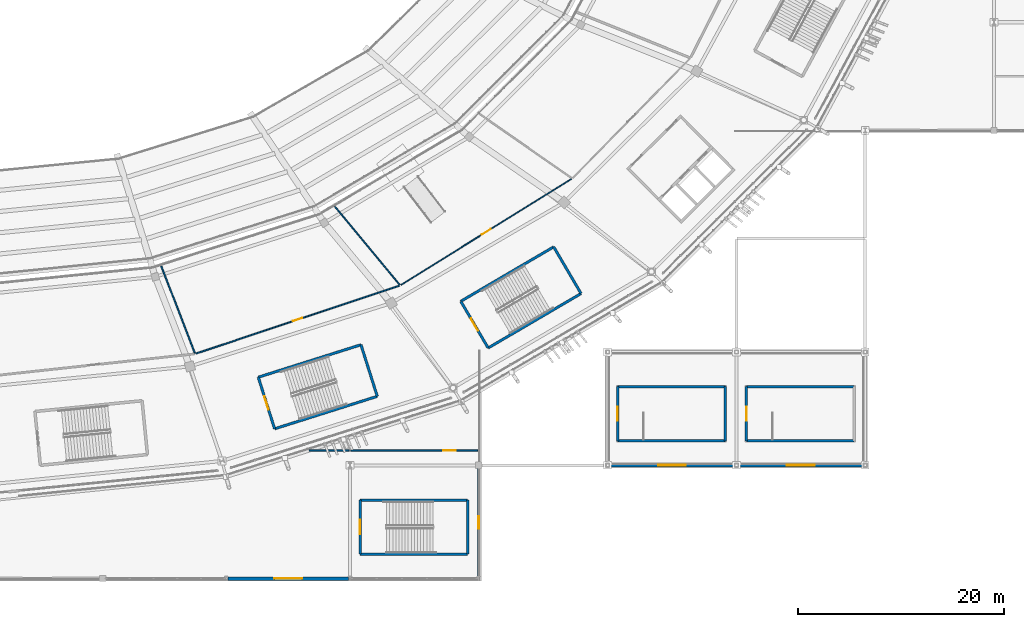
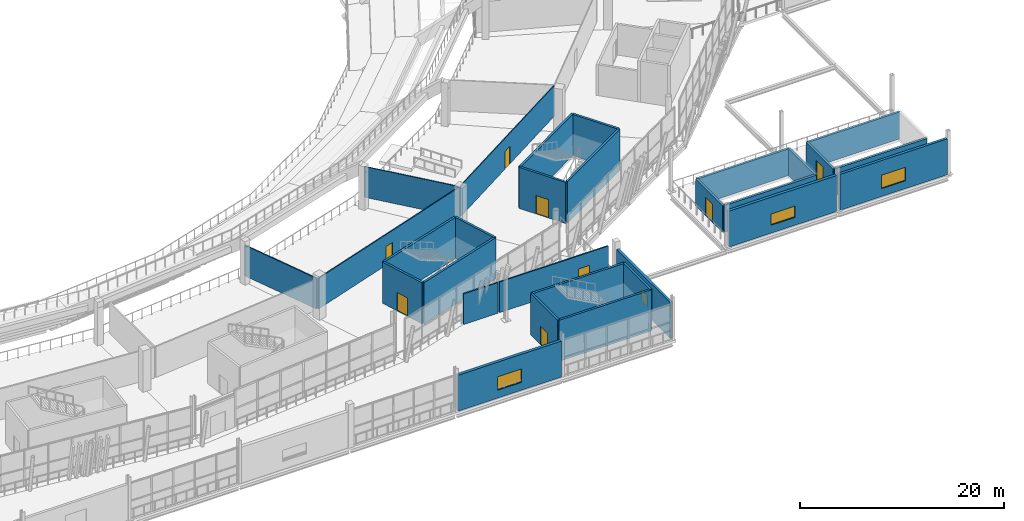
# One storey, part 126 of 178: 29 walls, 8 doors, 4 windows, 12 openings.
"""IFC4 building model written with IfcOpenShell, lengths in metres."""

from ifc_helpers import new_model, si_unit, direction, frame, frame_2d, origin, place, context, subcontext, project, spatial, rectangle, extrude, material, layer, layer_set, type_object, element, fill, save


model = new_model("IFC4")

# Units and contexts
model_context = context("Model", 3, precision=1e-05, world=origin(), true_north=direction((0.0, 1.0)))
body_context = subcontext(model_context, "Body", "Model", "MODEL_VIEW")
ifc_project = project(units=[si_unit("LENGTHUNIT", "METRE"), si_unit("AREAUNIT", "SQUARE_METRE"), si_unit("VOLUMEUNIT", "CUBIC_METRE"), si_unit("PLANEANGLEUNIT", "RADIAN"), si_unit("MASSUNIT", "GRAM", prefix="KILO")], contexts=[model_context])

# Site, building, storey
site_placement = place(None, origin())
site = spatial("IfcSite", under=ifc_project, at=site_placement, CompositionType="ELEMENT")
building_placement = place(site_placement, origin())
building = spatial("IfcBuilding", under=site, at=building_placement, Name="Zlatoyarsky Gate Stadium", CompositionType="ELEMENT")
storey_placement = place(building_placement, frame((0.0, 0.0, 5.39990234375)))
storey = spatial("IfcBuildingStorey", under=building, at=storey_placement, Name="L01", CompositionType="ELEMENT", Elevation=5.39990234375)

# Wall, opening, door
ifc_material_1 = material(Name="Metal-stud gypsum partition", Category="gypsum")
ifc_layer_1 = layer(ifc_material_1, 0.14990234375)
ifc_layer_set_1 = layer_set([ifc_layer_1], Name="Metal-stud gypsum partition")
wall_type_1 = type_object("IfcWallType", Name="CONCOURSE CORRIDOR PARTITION 150", PredefinedType="PARTITIONING", material=ifc_layer_set_1)
wall_1_placement = place(storey_placement, frame((147.5849609375, 12.449951171875, 0.0), z_axis=(0.0, 0.0, 1.0), x_axis=(1.0, 0.0, 0.0)))
wall_1 = element("IfcWall", 1, at=wall_1_placement, inside=storey, type_object=wall_type_1, Name="L01 interior partition PRT-L01-V3SC-NE2B", PredefinedType="PARTITIONING", context=body_context, shape_type="SweptSolid", body=[
    extrude(rectangle(XDim=12.31005859375, YDim=0.14990234375, at=frame_2d((6.155029296875, 0.0))), origin(), (0.0, 0.0, 1.0), 3.670166015625),
])
opening_1_placement = place(wall_1_placement, frame((8.9599609375, 0.0, 0.0)))
opening_1 = element("IfcOpeningElement", 2, at=opening_1_placement, cuts=wall_1, Name="Opening D-L01-282", PredefinedType="OPENING", context=body_context, shape_type="SweptSolid", body=[
    extrude(rectangle(XDim=1.239990234375, YDim=2.10009765625, at=frame_2d((0.6201171875, 1.050048828125))), frame((0.0, 0.0849609375, 0.0), z_axis=(0.0, -1.0, 0.0), x_axis=(1.0, 0.0, 0.0)), (0.0, 0.0, 1.0), 0.169921875),
])
ifc_material_2 = material(Name="Powder-coated steel fire door", Category="steel")
door_type_1 = type_object("IfcDoorType", Name="ACOUSTIC INTERIOR DOOR 1240X2100", OperationType="NOTDEFINED", PredefinedType="DOOR", material=ifc_material_2)
door_1_placement = place(opening_1_placement, origin())
door_1 = element("IfcDoor", 3, at=door_1_placement, inside=storey, type_object=door_type_1, Name="L01 room door D-L01-282", OperationType="SINGLE_SWING_RIGHT", OverallHeight=2.10009765625, OverallWidth=1.239990234375, PredefinedType="DOOR", context=body_context, shape_type="SweptSolid", body=[
    extrude(rectangle(XDim=1.239990234375, YDim=2.10009765625, at=frame_2d((0.6201171875, 1.050048828125))), frame((0.0, 0.02490234375, 0.0), z_axis=(0.0, -1.0, 0.0), x_axis=(1.0, 0.0, 0.0)), (0.0, 0.0, 1.0), 0.050048828125),
])
fill(opening_1, door_1)

ifc_material_3 = material(Name="Concrete C40/50", Category="concrete")
ifc_layer_2 = layer(ifc_material_3, 0.25)
ifc_layer_set_2 = layer_set([ifc_layer_2], Name="Concrete C40/50")
wall_type_2 = type_object("IfcWallType", Name="CONCRETE STAIR CORE SHEAR WALL 250", PredefinedType="SHEAR", material=ifc_layer_set_2)
wall_2_placement = place(storey_placement, frame((158.25341796875, 26.916015625, 0.0), z_axis=(0.0, 0.0, 1.0), x_axis=(0.505460490551, -0.862849750821, 0.0)))
wall_2 = element("IfcWall", 4, at=wall_2_placement, inside=storey, type_object=wall_type_2, Name="ST-11 L01 stair core entrance shear wall", PredefinedType="SHEAR", context=body_context, shape_type="SweptSolid", body=[
    extrude(rectangle(XDim=5.249755859375, YDim=0.25, at=frame_2d((2.625, 0.0))), origin(), (0.0, 0.0, 1.0), 4.920166015625),
])
opening_2_placement = place(wall_2_placement, frame((1.925048828125, 0.0, 0.0)))
opening_2 = element("IfcOpeningElement", 5, at=opening_2_placement, cuts=wall_2, Name="Opening SD-ST-11-L01", PredefinedType="OPENING", context=body_context, shape_type="SweptSolid", body=[
    extrude(rectangle(XDim=1.39990234375, YDim=2.199951171875, at=frame_2d((0.699951171875, 1.10009765625))), frame((0.0, 0.135009765625, 0.0), z_axis=(0.0, -1.0, 0.0), x_axis=(1.0, 0.0, 0.0)), (0.0, 0.0, 1.0), 0.27001953125),
])
door_type_2 = type_object("IfcDoorType", Name="STAIR CORE FIRE EXIT DOOR 1400X2200", OperationType="NOTDEFINED", PredefinedType="DOOR", material=ifc_material_2)
door_2_placement = place(opening_2_placement, frame((1.39990234375, 0.0, 0.0), z_axis=(0.0, 0.0, 1.0), x_axis=(-1.0, 0.0, 0.0)))
door_2 = element("IfcDoor", 6, at=door_2_placement, inside=storey, type_object=door_type_2, Name="ST-11 L01 stair fire door", OperationType="SINGLE_SWING_LEFT", OverallHeight=2.199951171875, OverallWidth=1.39990234375, PredefinedType="DOOR", context=body_context, shape_type="SweptSolid", body=[
    extrude(rectangle(XDim=1.39990234375, YDim=2.199951171875, at=frame_2d((0.699951171875, 1.10009765625))), frame((0.0, 0.02490234375, 0.0), z_axis=(0.0, -1.0, 0.0), x_axis=(1.0, 0.0, 0.0)), (0.0, 0.0, 1.0), 0.050048828125),
])
fill(opening_2, door_2)

# Walls
wall_3_placement = place(storey_placement, frame((160.906982421875, 22.38623046875, 0.0), z_axis=(0.0, 0.0, 1.0), x_axis=(0.862854686184, 0.505452065513, 0.0)))
element("IfcWall", 7, at=wall_3_placement, inside=storey, type_object=wall_type_2, Name="ST-11 L01 stair core left shear wall", PredefinedType="SHEAR", context=body_context, shape_type="SweptSolid", body=[
    extrude(rectangle(XDim=10.449951171875, YDim=0.25, at=frame_2d((5.22509765625, 0.0))), origin(), (0.0, 0.0, 1.0), 4.920166015625),
])
wall_4_placement = place(storey_placement, frame((169.923828125, 27.668212890625, 0.0), z_axis=(0.0, 0.0, 1.0), x_axis=(-0.505474830399, 0.862841350327, 0.0)))
element("IfcWall", 8, at=wall_4_placement, inside=storey, type_object=wall_type_2, Name="ST-11 L01 stair core far shear wall", PredefinedType="SHEAR", context=body_context, shape_type="SweptSolid", body=[
    extrude(rectangle(XDim=5.250244140625, YDim=0.25, at=frame_2d((2.625, 0.0))), origin(), (0.0, 0.0, 1.0), 4.920166015625),
])
wall_5_placement = place(storey_placement, frame((167.27001953125, 32.1982421875, 0.0), z_axis=(0.0, 0.0, 1.0), x_axis=(-0.862838527648, -0.505479648657, 0.0)))
element("IfcWall", 9, at=wall_5_placement, inside=storey, type_object=wall_type_2, Name="ST-11 L01 stair core right shear wall", PredefinedType="SHEAR", context=body_context, shape_type="SweptSolid", body=[
    extrude(rectangle(XDim=10.449951171875, YDim=0.25, at=frame_2d((5.22509765625, 0.0))), origin(), (0.0, 0.0, 1.0), 4.920166015625),
])

# Wall, opening, door
wall_6_placement = place(storey_placement, frame((138.599609375, 19.5478515625, 0.0), z_axis=(0.0, 0.0, 1.0), x_axis=(0.30152749866, -0.953457480726, 0.0)))
wall_6 = element("IfcWall", 10, at=wall_6_placement, inside=storey, type_object=wall_type_2, Name="ST-16 L01 stair core entrance shear wall", PredefinedType="SHEAR", context=body_context, shape_type="SweptSolid", body=[
    extrude(rectangle(XDim=5.25, YDim=0.25, at=frame_2d((2.625, 0.0))), origin(), (0.0, 0.0, 1.0), 4.920166015625),
])
opening_3_placement = place(wall_6_placement, frame((1.925048828125, 0.0, 0.0)))
opening_3 = element("IfcOpeningElement", 11, at=opening_3_placement, cuts=wall_6, Name="Opening SD-ST-16-L01", PredefinedType="OPENING", context=body_context, shape_type="SweptSolid", body=[
    extrude(rectangle(XDim=1.39990234375, YDim=2.199951171875, at=frame_2d((0.699951171875, 1.10009765625))), frame((0.0, 0.135009765625, 0.0), z_axis=(0.0, -1.0, 0.0), x_axis=(1.0, 0.0, 0.0)), (0.0, 0.0, 1.0), 0.27001953125),
])
door_3_placement = place(opening_3_placement, frame((1.39990234375, 0.0, 0.0), z_axis=(0.0, 0.0, 1.0), x_axis=(-1.0, 0.0, 0.0)))
door_3 = element("IfcDoor", 12, at=door_3_placement, inside=storey, type_object=door_type_2, Name="ST-16 L01 stair fire door", OperationType="SINGLE_SWING_LEFT", OverallHeight=2.199951171875, OverallWidth=1.39990234375, PredefinedType="DOOR", context=body_context, shape_type="SweptSolid", body=[
    extrude(rectangle(XDim=1.39990234375, YDim=2.199951171875, at=frame_2d((0.699951171875, 1.10009765625))), frame((0.0, 0.02490234375, 0.0), z_axis=(0.0, -1.0, 0.0), x_axis=(1.0, 0.0, 0.0)), (0.0, 0.0, 1.0), 0.050048828125),
])
fill(opening_3, door_3)

# Walls
wall_7_placement = place(storey_placement, frame((140.1826171875, 14.542236328125, 0.0), z_axis=(0.0, 0.0, 1.0), x_axis=(0.953459710305, 0.301520448438, 0.0)))
element("IfcWall", 13, at=wall_7_placement, inside=storey, type_object=wall_type_2, Name="ST-16 L01 stair core left shear wall", PredefinedType="SHEAR", context=body_context, shape_type="SweptSolid", body=[
    extrude(rectangle(XDim=10.449951171875, YDim=0.25, at=frame_2d((5.22509765625, 0.0))), origin(), (0.0, 0.0, 1.0), 4.920166015625),
])
wall_8_placement = place(storey_placement, frame((150.146240234375, 17.693115234375, 0.0), z_axis=(0.0, 0.0, 1.0), x_axis=(-0.30152749866, 0.953457480726, 0.0)))
element("IfcWall", 14, at=wall_8_placement, inside=storey, type_object=wall_type_2, Name="ST-16 L01 stair core far shear wall", PredefinedType="SHEAR", context=body_context, shape_type="SweptSolid", body=[
    extrude(rectangle(XDim=5.25, YDim=0.25, at=frame_2d((2.625, 0.0))), origin(), (0.0, 0.0, 1.0), 4.920166015625),
])
wall_9_placement = place(storey_placement, frame((148.563232421875, 22.69873046875, 0.0), z_axis=(0.0, 0.0, 1.0), x_axis=(-0.953459710305, -0.301520448438, 0.0)))
element("IfcWall", 15, at=wall_9_placement, inside=storey, type_object=wall_type_2, Name="ST-16 L01 stair core right shear wall", PredefinedType="SHEAR", context=body_context, shape_type="SweptSolid", body=[
    extrude(rectangle(XDim=10.449951171875, YDim=0.25, at=frame_2d((5.22509765625, 0.0))), origin(), (0.0, 0.0, 1.0), 4.920166015625),
])

# Wall, opening, door
wall_10_placement = place(storey_placement, frame((173.47509765625, 18.625, 0.0), z_axis=(0.0, 0.0, 1.0), x_axis=(0.0, -1.0, 0.0)))
wall_10 = element("IfcWall", 16, at=wall_10_placement, inside=storey, type_object=wall_type_2, Name="ST-23 L01 stair core entrance shear wall", PredefinedType="SHEAR", context=body_context, shape_type="SweptSolid", body=[
    extrude(rectangle(XDim=5.25, YDim=0.25, at=frame_2d((2.625, 0.0))), origin(), (0.0, 0.0, 1.0), 3.2001953125),
])
opening_4_placement = place(wall_10_placement, frame((1.925048828125, 0.0, 0.0)))
opening_4 = element("IfcOpeningElement", 17, at=opening_4_placement, cuts=wall_10, Name="Opening SD-ST-23-L01", PredefinedType="OPENING", context=body_context, shape_type="SweptSolid", body=[
    extrude(rectangle(XDim=1.39990234375, YDim=2.199951171875, at=frame_2d((0.699951171875, 1.10009765625))), frame((0.0, 0.135009765625, 0.0), z_axis=(0.0, -1.0, 0.0), x_axis=(1.0, 0.0, 0.0)), (0.0, 0.0, 1.0), 0.27001953125),
])
door_4_placement = place(opening_4_placement, frame((1.39990234375, 0.0, 0.0), z_axis=(0.0, 0.0, 1.0), x_axis=(-1.0, 0.0, 0.0)))
door_4 = element("IfcDoor", 18, at=door_4_placement, inside=storey, type_object=door_type_2, Name="ST-23 L01 stair fire door", OperationType="SINGLE_SWING_LEFT", OverallHeight=2.199951171875, OverallWidth=1.39990234375, PredefinedType="DOOR", context=body_context, shape_type="SweptSolid", body=[
    extrude(rectangle(XDim=1.39990234375, YDim=2.199951171875, at=frame_2d((0.699951171875, 1.10009765625))), frame((0.0, 0.02490234375, 0.0), z_axis=(0.0, -1.0, 0.0), x_axis=(1.0, 0.0, 0.0)), (0.0, 0.0, 1.0), 0.050048828125),
])
fill(opening_4, door_4)

# Walls
wall_11_placement = place(storey_placement, frame((173.47509765625, 13.375, 0.0), z_axis=(0.0, 0.0, 1.0), x_axis=(1.0, 0.0, 0.0)))
element("IfcWall", 19, at=wall_11_placement, inside=storey, type_object=wall_type_2, Name="ST-23 L01 stair core left shear wall", PredefinedType="SHEAR", context=body_context, shape_type="SweptSolid", body=[
    extrude(rectangle(XDim=10.449951171875, YDim=0.25, at=frame_2d((5.22509765625, 0.0))), origin(), (0.0, 0.0, 1.0), 3.2001953125),
])
wall_12_placement = place(storey_placement, frame((183.925048828125, 13.375, 0.0), z_axis=(0.0, 0.0, 1.0), x_axis=(0.0, 1.0, 0.0)))
element("IfcWall", 20, at=wall_12_placement, inside=storey, type_object=wall_type_2, Name="ST-23 L01 stair core far shear wall", PredefinedType="SHEAR", context=body_context, shape_type="SweptSolid", body=[
    extrude(rectangle(XDim=5.25, YDim=0.25, at=frame_2d((2.625, 0.0))), origin(), (0.0, 0.0, 1.0), 3.2001953125),
])
wall_13_placement = place(storey_placement, frame((183.925048828125, 18.625, 0.0), z_axis=(0.0, 0.0, 1.0), x_axis=(-1.0, 0.0, 0.0)))
element("IfcWall", 21, at=wall_13_placement, inside=storey, type_object=wall_type_2, Name="ST-23 L01 stair core right shear wall", PredefinedType="SHEAR", context=body_context, shape_type="SweptSolid", body=[
    extrude(rectangle(XDim=10.449951171875, YDim=0.25, at=frame_2d((5.22509765625, 0.0))), origin(), (0.0, 0.0, 1.0), 3.2001953125),
])

# Wall, opening, door
wall_14_placement = place(storey_placement, frame((185.97509765625, 18.625, 0.0), z_axis=(0.0, 0.0, 1.0), x_axis=(0.0, -1.0, 0.0)))
wall_14 = element("IfcWall", 22, at=wall_14_placement, inside=storey, type_object=wall_type_2, Name="ST-24 L01 stair core entrance shear wall", PredefinedType="SHEAR", context=body_context, shape_type="SweptSolid", body=[
    extrude(rectangle(XDim=5.25, YDim=0.25, at=frame_2d((2.625, 0.0))), origin(), (0.0, 0.0, 1.0), 3.2001953125),
])
opening_5_placement = place(wall_14_placement, frame((1.925048828125, 0.0, 0.0)))
opening_5 = element("IfcOpeningElement", 23, at=opening_5_placement, cuts=wall_14, Name="Opening SD-ST-24-L01", PredefinedType="OPENING", context=body_context, shape_type="SweptSolid", body=[
    extrude(rectangle(XDim=1.39990234375, YDim=2.199951171875, at=frame_2d((0.699951171875, 1.10009765625))), frame((0.0, 0.135009765625, 0.0), z_axis=(0.0, -1.0, 0.0), x_axis=(1.0, 0.0, 0.0)), (0.0, 0.0, 1.0), 0.27001953125),
])
door_5_placement = place(opening_5_placement, frame((1.39990234375, 0.0, 0.0), z_axis=(0.0, 0.0, 1.0), x_axis=(-1.0, 0.0, 0.0)))
door_5 = element("IfcDoor", 24, at=door_5_placement, inside=storey, type_object=door_type_2, Name="ST-24 L01 stair fire door", OperationType="SINGLE_SWING_RIGHT", OverallHeight=2.199951171875, OverallWidth=1.39990234375, PredefinedType="DOOR", context=body_context, shape_type="SweptSolid", body=[
    extrude(rectangle(XDim=1.39990234375, YDim=2.199951171875, at=frame_2d((0.699951171875, 1.10009765625))), frame((0.0, 0.02490234375, 0.0), z_axis=(0.0, -1.0, 0.0), x_axis=(1.0, 0.0, 0.0)), (0.0, 0.0, 1.0), 0.050048828125),
])
fill(opening_5, door_5)

# Walls
for number, where, z_axis, x_axis, name in (
    (25, (185.97509765625, 13.375, 0.0), (0.0, 0.0, 1.0), (1.0, 0.0, 0.0), "ST-24 L01 stair core left shear wall"),
    (26, (196.425048828125, 18.625, 0.0), (0.0, 0.0, 1.0), (-1.0, 0.0, 0.0), "ST-24 L01 stair core right shear wall"),
):
    element("IfcWall", number, at=place(storey_placement, frame(where, z_axis=z_axis, x_axis=x_axis)), inside=storey, type_object=wall_type_2, Name=name, PredefinedType="SHEAR", context=body_context, shape_type="SweptSolid", body=[
        extrude(rectangle(XDim=10.449951171875, YDim=0.25, at=frame_2d((5.22509765625, 0.0))), origin(), (0.0, 0.0, 1.0), 3.2001953125),
    ])

# Wall, opening, door
wall_15_placement = place(storey_placement, frame((148.47509765625, 7.625, 0.0), z_axis=(0.0, 0.0, 1.0), x_axis=(0.0, -1.0, 0.0)))
wall_15 = element("IfcWall", 27, at=wall_15_placement, inside=storey, type_object=wall_type_2, Name="ST-30 L01 stair core entrance shear wall", PredefinedType="SHEAR", context=body_context, shape_type="SweptSolid", body=[
    extrude(rectangle(XDim=5.25, YDim=0.25, at=frame_2d((2.625, 0.0))), origin(), (0.0, 0.0, 1.0), 4.920166015625),
])
opening_6_placement = place(wall_15_placement, frame((1.925048828125, 0.0, 0.0)))
opening_6 = element("IfcOpeningElement", 28, at=opening_6_placement, cuts=wall_15, Name="Opening SD-ST-30-L01", PredefinedType="OPENING", context=body_context, shape_type="SweptSolid", body=[
    extrude(rectangle(XDim=1.39990234375, YDim=2.199951171875, at=frame_2d((0.699951171875, 1.10009765625))), frame((0.0, 0.135009765625, 0.0), z_axis=(0.0, -1.0, 0.0), x_axis=(1.0, 0.0, 0.0)), (0.0, 0.0, 1.0), 0.27001953125),
])
door_6_placement = place(opening_6_placement, frame((1.39990234375, 0.0, 0.0), z_axis=(0.0, 0.0, 1.0), x_axis=(-1.0, 0.0, 0.0)))
door_6 = element("IfcDoor", 29, at=door_6_placement, inside=storey, type_object=door_type_2, Name="ST-30 L01 stair fire door", OperationType="SINGLE_SWING_LEFT", OverallHeight=2.199951171875, OverallWidth=1.39990234375, PredefinedType="DOOR", context=body_context, shape_type="SweptSolid", body=[
    extrude(rectangle(XDim=1.39990234375, YDim=2.199951171875, at=frame_2d((0.699951171875, 1.10009765625))), frame((0.0, 0.02490234375, 0.0), z_axis=(0.0, -1.0, 0.0), x_axis=(1.0, 0.0, 0.0)), (0.0, 0.0, 1.0), 0.050048828125),
])
fill(opening_6, door_6)

# Walls
wall_16_placement = place(storey_placement, frame((148.47509765625, 2.375, 0.0), z_axis=(0.0, 0.0, 1.0), x_axis=(1.0, 0.0, 0.0)))
element("IfcWall", 30, at=wall_16_placement, inside=storey, type_object=wall_type_2, Name="ST-30 L01 stair core left shear wall", PredefinedType="SHEAR", context=body_context, shape_type="SweptSolid", body=[
    extrude(rectangle(XDim=10.449951171875, YDim=0.25, at=frame_2d((5.22509765625, 0.0))), origin(), (0.0, 0.0, 1.0), 4.920166015625),
])
wall_17_placement = place(storey_placement, frame((158.925048828125, 2.375, 0.0), z_axis=(0.0, 0.0, 1.0), x_axis=(0.0, 1.0, 0.0)))
element("IfcWall", 31, at=wall_17_placement, inside=storey, type_object=wall_type_2, Name="ST-30 L01 stair core far shear wall", PredefinedType="SHEAR", context=body_context, shape_type="SweptSolid", body=[
    extrude(rectangle(XDim=5.25, YDim=0.25, at=frame_2d((2.625, 0.0))), origin(), (0.0, 0.0, 1.0), 4.920166015625),
])
wall_18_placement = place(storey_placement, frame((158.925048828125, 7.625, 0.0), z_axis=(0.0, 0.0, 1.0), x_axis=(-1.0, 0.0, 0.0)))
element("IfcWall", 32, at=wall_18_placement, inside=storey, type_object=wall_type_2, Name="ST-30 L01 stair core right shear wall", PredefinedType="SHEAR", context=body_context, shape_type="SweptSolid", body=[
    extrude(rectangle(XDim=10.449951171875, YDim=0.25, at=frame_2d((5.22509765625, 0.0))), origin(), (0.0, 0.0, 1.0), 4.920166015625),
])
ifc_material_4 = material(Name="Acoustic metal-stud gypsum partition", Category="gypsum")
ifc_layer_3 = layer(ifc_material_4, 0.159912109375)
ifc_layer_set_3 = layer_set([ifc_layer_3], Name="Acoustic metal-stud gypsum partition")
wall_type_3 = type_object("IfcWallType", Name="HOSPITALITY SUITE PARTITION 160", PredefinedType="PARTITIONING", material=ifc_layer_set_3)
wall_19_placement = place(storey_placement, frame((143.536376953125, 12.449951171875, 0.0), z_axis=(0.0, 0.0, 1.0), x_axis=(1.0, 0.0, 0.0)))
element("IfcWall", 33, at=wall_19_placement, inside=storey, type_object=wall_type_3, Name="L01 interior partition PRT-L01-V3SC-NE2A", PredefinedType="PARTITIONING", context=body_context, shape_type="SweptSolid", body=[
    extrude(rectangle(XDim=3.878662109375, YDim=0.159912109375, at=frame_2d((1.939453125, 0.0))), origin(), (0.0, 0.0, 1.0), 3.670166015625),
])

# Wall, opening, window
ifc_material_5 = material(Name="Limestone-faced insulated masonry wall", Category="masonry")
ifc_layer_4 = layer(ifc_material_5, 0.300048828125)
ifc_layer_set_4 = layer_set([ifc_layer_4], Name="Limestone-faced insulated masonry wall")
wall_type_4 = type_object("IfcWallType", Name="INSULATED PAVILION FACADE WALL 300", PredefinedType="STANDARD", material=ifc_layer_set_4)
wall_20_placement = place(storey_placement, frame((185.172119140625, 11.0, 0.0), z_axis=(0.0, 0.0, 1.0), x_axis=(1.0, 0.0, 0.0)))
wall_20 = element("IfcWall", 34, at=wall_20_placement, inside=storey, type_object=wall_type_4, Name="V6_SE L01 S exterior wall", PredefinedType="STANDARD", context=body_context, shape_type="SweptSolid", body=[
    extrude(rectangle(XDim=12.15576171875, YDim=0.300048828125, at=frame_2d((6.077880859375, 0.0))), origin(), (0.0, 0.0, 1.0), 4.300048828125),
])
opening_7_placement = place(wall_20_placement, frame((4.72802734375, 0.0, 0.949951171875)))
opening_7 = element("IfcOpeningElement", 35, at=opening_7_placement, cuts=wall_20, Name="Opening WN-22", PredefinedType="OPENING", context=body_context, shape_type="SweptSolid", body=[
    extrude(rectangle(XDim=2.699951171875, YDim=1.60009765625, at=frame_2d((1.35009765625, 0.800048828125))), frame((0.0, 0.159912109375, 0.0), z_axis=(0.0, -1.0, 0.0), x_axis=(1.0, 0.0, 0.0)), (0.0, 0.0, 1.0), 0.320068359375),
])
ifc_material_6 = material(Name="Triple-glazed thermally broken aluminium window", Category="aluminium")
window_type_1 = type_object("IfcWindowType", Name="TRIPLE GLAZED ALUMINIUM WINDOW 2700X1600", PartitioningType="SINGLE_PANEL", PredefinedType="WINDOW", material=ifc_material_6)
window_1_placement = place(opening_7_placement, origin())
window_1 = element("IfcWindow", 36, at=window_1_placement, inside=storey, type_object=window_type_1, Name="Exterior window WIN-L01-078", OverallHeight=1.60009765625, OverallWidth=2.699951171875, PartitioningType="SINGLE_PANEL", PredefinedType="WINDOW", context=body_context, shape_type="SweptSolid", body=[
    extrude(rectangle(XDim=2.699951171875, YDim=1.60009765625, at=frame_2d((1.35009765625, 0.800048828125))), frame((0.0, 0.030029296875, 0.0), z_axis=(0.0, -1.0, 0.0), x_axis=(1.0, 0.0, 0.0)), (0.0, 0.0, 1.0), 0.06005859375),
])
fill(opening_7, window_1)

ifc_material_7 = material(Name="Precast concrete C40/50 architectural panel", Category="concrete")
ifc_layer_5 = layer(ifc_material_7, 0.280029296875)
ifc_layer_set_5 = layer_set([ifc_layer_5], Name="Precast concrete C40/50 architectural panel")
wall_type_5 = type_object("IfcWallType", Name="INSULATED WING SPANDREL WALL 280", PredefinedType="STANDARD", material=ifc_layer_set_5)
wall_21_placement = place(storey_placement, frame((160.0, 0.221923828125, 0.0), z_axis=(0.0, 0.0, 1.0), x_axis=(0.0, 1.0, 0.0)))
wall_21 = element("IfcWall", 37, at=wall_21_placement, inside=storey, type_object=wall_type_5, Name="V3_SOUTH L01 E exterior wall", PredefinedType="STANDARD", context=body_context, shape_type="SweptSolid", body=[
    extrude(rectangle(XDim=10.48095703125, YDim=0.280029296875, at=frame_2d((5.240478515625, 0.0))), origin(), (0.0, 0.0, 1.0), 4.300048828125),
])
opening_8_placement = place(wall_21_placement, frame((4.640380859375, 0.0, 0.949951171875)))
opening_8 = element("IfcOpeningElement", 38, at=opening_8_placement, cuts=wall_21, Name="Opening WN-01", PredefinedType="OPENING", context=body_context, shape_type="SweptSolid", body=[
    extrude(rectangle(XDim=1.199951171875, YDim=1.35009765625, at=frame_2d((0.60009765625, 0.675048828125))), frame((0.0, 0.14990234375, 0.0), z_axis=(0.0, -1.0, 0.0), x_axis=(1.0, 0.0, 0.0)), (0.0, 0.0, 1.0), 0.300048828125),
])
window_type_2 = type_object("IfcWindowType", Name="TRIPLE GLAZED ALUMINIUM WINDOW 1200X1350", PartitioningType="SINGLE_PANEL", PredefinedType="WINDOW", material=ifc_material_6)
window_2_placement = place(opening_8_placement, origin())
window_2 = element("IfcWindow", 39, at=window_2_placement, inside=storey, type_object=window_type_2, Name="Exterior window WIN-L01-029", OverallHeight=1.35009765625, OverallWidth=1.199951171875, PartitioningType="SINGLE_PANEL", PredefinedType="WINDOW", context=body_context, shape_type="SweptSolid", body=[
    extrude(rectangle(XDim=1.199951171875, YDim=1.35009765625, at=frame_2d((0.60009765625, 0.675048828125))), frame((0.0, 0.030029296875, 0.0), z_axis=(0.0, -1.0, 0.0), x_axis=(1.0, 0.0, 0.0)), (0.0, 0.0, 1.0), 0.06005859375),
])
fill(opening_8, window_2)

# Wall
ifc_layer_6 = layer(ifc_material_1, 0.110107421875)
ifc_layer_set_6 = layer_set([ifc_layer_6], Name="Metal-stud gypsum partition")
wall_type_6 = type_object("IfcWallType", Name="KIOSK SERVICE PARTITION 110", PredefinedType="PARTITIONING", material=ifc_layer_set_6)
wall_22_placement = place(storey_placement, frame((146.0078125, 36.1298828125, 0.0), z_axis=(0.0, 0.0, 1.0), x_axis=(0.638420504873, -0.769687767187, 0.0)))
element("IfcWall", 40, at=wall_22_placement, inside=storey, type_object=wall_type_6, Name="L01 interior partition PRT-L01-IRD-20", PredefinedType="PARTITIONING", context=body_context, shape_type="SweptSolid", body=[
    extrude(rectangle(XDim=9.879638671875, YDim=0.110107421875, at=frame_2d((4.93994140625, 0.0))), origin(), (0.0, 0.0, 1.0), 3.670166015625),
])

# Wall, opening, door
ifc_layer_7 = layer(ifc_material_1, 0.10009765625)
ifc_layer_set_7 = layer_set([ifc_layer_7], Name="Metal-stud gypsum partition")
wall_type_7 = type_object("IfcWallType", Name="LIGHT STORAGE PARTITION 100", PredefinedType="PARTITIONING", material=ifc_layer_set_7)
wall_23_placement = place(storey_placement, frame((152.441650390625, 28.505126953125, 0.0), z_axis=(0.0, 0.0, 1.0), x_axis=(0.849309161724, 0.527895773625, 0.0)))
wall_23 = element("IfcWall", 41, at=wall_23_placement, inside=storey, type_object=wall_type_7, Name="L01 vomitory portal wall PRT-L01-ICC-20", PredefinedType="PARTITIONING", context=body_context, shape_type="SweptSolid", body=[
    extrude(rectangle(XDim=19.485595703125, YDim=0.10009765625, at=frame_2d((9.74267578125, 0.0))), origin(), (0.0, 0.0, 1.0), 3.670166015625),
])
opening_9_placement = place(wall_23_placement, frame((9.23291015625, 0.0, 0.0)))
opening_9 = element("IfcOpeningElement", 42, at=opening_9_placement, cuts=wall_23, Name="Opening D-L01-267", PredefinedType="OPENING", context=body_context, shape_type="SweptSolid", body=[
    extrude(rectangle(XDim=1.02001953125, YDim=2.10009765625, at=frame_2d((0.510009765625, 1.050048828125))), frame((0.0, 0.06005859375, 0.0), z_axis=(0.0, -1.0, 0.0), x_axis=(1.0, 0.0, 0.0)), (0.0, 0.0, 1.0), 0.1201171875),
])
ifc_material_8 = material(Name="Solid-core oak veneer acoustic door", Category="wood")
door_type_3 = type_object("IfcDoorType", Name="ACOUSTIC INTERIOR DOOR 1020X2100", OperationType="NOTDEFINED", PredefinedType="DOOR", material=ifc_material_8)
door_7_placement = place(opening_9_placement, origin())
door_7 = element("IfcDoor", 43, at=door_7_placement, inside=storey, type_object=door_type_3, Name="L01 vomitory portal door D-L01-267", OperationType="SINGLE_SWING_LEFT", OverallHeight=2.10009765625, OverallWidth=1.02001953125, PredefinedType="DOOR", context=body_context, shape_type="SweptSolid", body=[
    extrude(rectangle(XDim=1.02001953125, YDim=2.10009765625, at=frame_2d((0.510009765625, 1.050048828125))), frame((0.0, 0.02490234375, 0.0), z_axis=(0.0, -1.0, 0.0), x_axis=(1.0, 0.0, 0.0)), (0.0, 0.0, 1.0), 0.050048828125),
])
fill(opening_9, door_7)

ifc_layer_8 = layer(ifc_material_1, 0.1201171875)
ifc_layer_set_8 = layer_set([ifc_layer_8], Name="Metal-stud gypsum partition")
wall_type_8 = type_object("IfcWallType", Name="OFFICE AND PRESS PARTITION 120", PredefinedType="PARTITIONING", material=ifc_layer_set_8)
wall_24_placement = place(storey_placement, frame((132.54541015625, 21.843017578125, 0.0), z_axis=(0.0, 0.0, 1.0), x_axis=(0.948550671686, 0.316625367341, 0.0)))
wall_24 = element("IfcWall", 44, at=wall_24_placement, inside=storey, type_object=wall_type_8, Name="L01 interior partition PRT-L01-ICC-19", PredefinedType="PARTITIONING", context=body_context, shape_type="SweptSolid", body=[
    extrude(rectangle(XDim=20.814208984375, YDim=0.1201171875, at=frame_2d((10.4072265625, 0.0))), origin(), (0.0, 0.0, 1.0), 3.670166015625),
])
opening_10_placement = place(wall_24_placement, frame((9.927001953125, 0.0, 0.0)))
opening_10 = element("IfcOpeningElement", 45, at=opening_10_placement, cuts=wall_24, Name="Opening D-L01-265", PredefinedType="OPENING", context=body_context, shape_type="SweptSolid", body=[
    extrude(rectangle(XDim=0.9599609375, YDim=2.239990234375, at=frame_2d((0.47998046875, 1.1201171875))), frame((0.0, 0.070068359375, 0.0), z_axis=(0.0, -1.0, 0.0), x_axis=(1.0, 0.0, 0.0)), (0.0, 0.0, 1.0), 0.14013671875),
])
door_type_4 = type_object("IfcDoorType", Name="ACOUSTIC INTERIOR DOOR 960X2240", OperationType="NOTDEFINED", PredefinedType="DOOR", material=ifc_material_8)
door_8_placement = place(opening_10_placement, origin())
door_8 = element("IfcDoor", 46, at=door_8_placement, inside=storey, type_object=door_type_4, Name="L01 room door D-L01-265", OperationType="SINGLE_SWING_RIGHT", OverallHeight=2.239990234375, OverallWidth=0.9599609375, PredefinedType="DOOR", context=body_context, shape_type="SweptSolid", body=[
    extrude(rectangle(XDim=0.9599609375, YDim=2.239990234375, at=frame_2d((0.47998046875, 1.1201171875))), frame((0.0, 0.02490234375, 0.0), z_axis=(0.0, -1.0, 0.0), x_axis=(1.0, 0.0, 0.0)), (0.0, 0.0, 1.0), 0.050048828125),
])
fill(opening_10, door_8)

# Wall, opening, window
ifc_layer_9 = layer(ifc_material_7, 0.320068359375)
ifc_layer_set_9 = layer_set([ifc_layer_9], Name="Precast concrete C40/50 architectural panel")
wall_type_9 = type_object("IfcWallType", Name="PRECAST TERRACOTTA FACADE WALL 320", PredefinedType="STANDARD", material=ifc_layer_set_9)
wall_25_placement = place(storey_placement, frame((135.64697265625, 0.0, 0.0), z_axis=(0.0, 0.0, 1.0), x_axis=(1.0, 0.0, 0.0)))
wall_25 = element("IfcWall", 47, at=wall_25_placement, inside=storey, type_object=wall_type_9, Name="V3_SOUTH L01 S exterior wall", PredefinedType="STANDARD", context=body_context, shape_type="SweptSolid", body=[
    extrude(rectangle(XDim=11.7060546875, YDim=0.320068359375, at=frame_2d((5.85302734375, 0.0))), origin(), (0.0, 0.0, 1.0), 4.300048828125),
])
opening_11_placement = place(wall_25_placement, frame((4.5029296875, 0.0, 0.949951171875)))
opening_11 = element("IfcOpeningElement", 48, at=opening_11_placement, cuts=wall_25, Name="Opening WN-22", PredefinedType="OPENING", context=body_context, shape_type="SweptSolid", body=[
    extrude(rectangle(XDim=2.699951171875, YDim=1.60009765625, at=frame_2d((1.35009765625, 0.800048828125))), frame((0.0, 0.169921875, 0.0), z_axis=(0.0, -1.0, 0.0), x_axis=(1.0, 0.0, 0.0)), (0.0, 0.0, 1.0), 0.340087890625),
])
window_3_placement = place(opening_11_placement, origin())
window_3 = element("IfcWindow", 49, at=window_3_placement, inside=storey, type_object=window_type_1, Name="Exterior window WIN-L01-022", OverallHeight=1.60009765625, OverallWidth=2.699951171875, PartitioningType="SINGLE_PANEL", PredefinedType="WINDOW", context=body_context, shape_type="SweptSolid", body=[
    extrude(rectangle(XDim=2.699951171875, YDim=1.60009765625, at=frame_2d((1.35009765625, 0.800048828125))), frame((0.0, 0.030029296875, 0.0), z_axis=(0.0, -1.0, 0.0), x_axis=(1.0, 0.0, 0.0)), (0.0, 0.0, 1.0), 0.06005859375),
])
fill(opening_11, window_3)

wall_26_placement = place(storey_placement, frame((172.672119140625, 11.0, 0.0), z_axis=(0.0, 0.0, 1.0), x_axis=(1.0, 0.0, 0.0)))
wall_26 = element("IfcWall", 50, at=wall_26_placement, inside=storey, type_object=wall_type_9, Name="V6_SE L01 S exterior wall", PredefinedType="STANDARD", context=body_context, shape_type="SweptSolid", body=[
    extrude(rectangle(XDim=12.15576171875, YDim=0.320068359375, at=frame_2d((6.077880859375, 0.0))), origin(), (0.0, 0.0, 1.0), 4.300048828125),
])
opening_12_placement = place(wall_26_placement, frame((4.72802734375, 0.0, 0.949951171875)))
opening_12 = element("IfcOpeningElement", 51, at=opening_12_placement, cuts=wall_26, Name="Opening WN-21", PredefinedType="OPENING", context=body_context, shape_type="SweptSolid", body=[
    extrude(rectangle(XDim=2.699951171875, YDim=1.35009765625, at=frame_2d((1.35009765625, 0.675048828125))), frame((0.0, 0.169921875, 0.0), z_axis=(0.0, -1.0, 0.0), x_axis=(1.0, 0.0, 0.0)), (0.0, 0.0, 1.0), 0.340087890625),
])
window_type_3 = type_object("IfcWindowType", Name="TRIPLE GLAZED ALUMINIUM WINDOW 2700X1350", PartitioningType="SINGLE_PANEL", PredefinedType="WINDOW", material=ifc_material_6)
window_4_placement = place(opening_12_placement, origin())
window_4 = element("IfcWindow", 52, at=window_4_placement, inside=storey, type_object=window_type_3, Name="Exterior window WIN-L01-077", OverallHeight=1.35009765625, OverallWidth=2.699951171875, PartitioningType="SINGLE_PANEL", PredefinedType="WINDOW", context=body_context, shape_type="SweptSolid", body=[
    extrude(rectangle(XDim=2.699951171875, YDim=1.35009765625, at=frame_2d((1.35009765625, 0.675048828125))), frame((0.0, 0.030029296875, 0.0), z_axis=(0.0, -1.0, 0.0), x_axis=(1.0, 0.0, 0.0)), (0.0, 0.0, 1.0), 0.06005859375),
])
fill(opening_12, window_4)

# Wall
ifc_material_9 = material(Name="Moisture-resistant tile-backed partition", Category="gypsum")
ifc_layer_10 = layer(ifc_material_9, 0.1298828125)
ifc_layer_set_10 = layer_set([ifc_layer_10], Name="Moisture-resistant tile-backed partition")
wall_type_10 = type_object("IfcWallType", Name="SANITARY WET ROOM PARTITION 130", PredefinedType="PARTITIONING", material=ifc_layer_set_10)
wall_27_placement = place(storey_placement, frame((129.176025390625, 30.3564453125, 0.0), z_axis=(0.0, 0.0, 1.0), x_axis=(0.359372408814, -0.93319423047, 0.0)))
element("IfcWall", 53, at=wall_27_placement, inside=storey, type_object=wall_type_10, Name="L01 interior partition PRT-L01-IRD-19", PredefinedType="PARTITIONING", context=body_context, shape_type="SweptSolid", body=[
    extrude(rectangle(XDim=9.066650390625, YDim=0.1298828125, at=frame_2d((4.533203125, 0.0))), origin(), (0.0, 0.0, 1.0), 3.670166015625),
])

save(model, "model.ifc")
